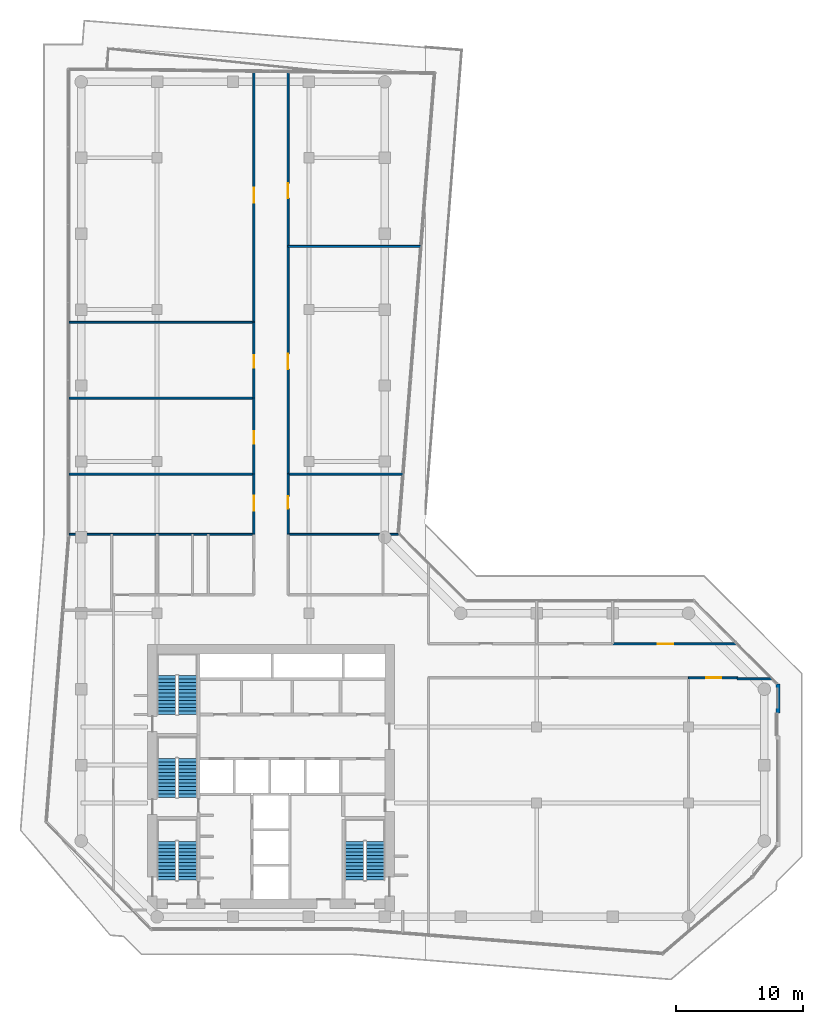
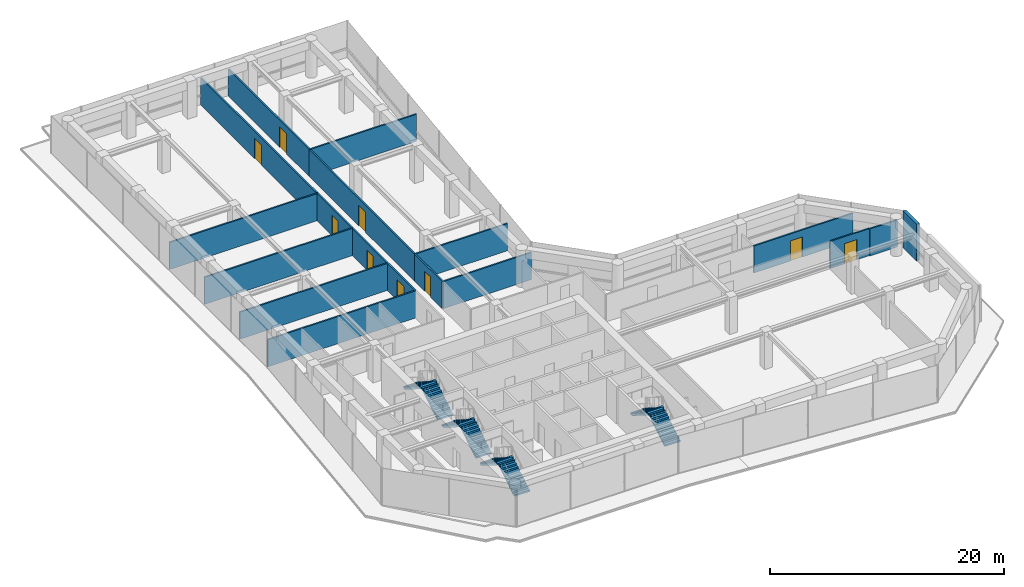
# One storey, part 22 of 24: 18 walls, 9 doors, 8 stair flights, 9 openings, 4 elements without a shape of their own.
"""IFC4 building model written with IfcOpenShell, lengths in metres."""

from ifc_helpers import new_model, si_unit, direction, frame, frame_2d, origin, place, context, subcontext, project, spatial, polyline, rectangle, outline, extrude, material, layer, layer_set, type_object, element, fill, aggregate, save


model = new_model("IFC4")

# Units and contexts
model_context = context("Model", 3, precision=1e-05, world=origin(), true_north=direction((0.0, 1.0)))
body_context = subcontext(model_context, "Body", "Model", "MODEL_VIEW")
ifc_project = project(units=[si_unit("LENGTHUNIT", "METRE"), si_unit("AREAUNIT", "SQUARE_METRE"), si_unit("VOLUMEUNIT", "CUBIC_METRE"), si_unit("PLANEANGLEUNIT", "RADIAN"), si_unit("MASSUNIT", "GRAM", prefix="KILO")], contexts=[model_context])

# Site, building, storey
site_placement = place(None, origin())
site = spatial("IfcSite", under=ifc_project, at=site_placement, CompositionType="ELEMENT")
building_placement = place(site_placement, origin())
building = spatial("IfcBuilding", under=site, at=building_placement, Name="Welwitschia Terrace Campus", CompositionType="ELEMENT")
storey_placement = place(building_placement, frame((0.0, 0.0, 129.800048828125)))
storey = spatial("IfcBuildingStorey", under=building, at=storey_placement, Name="L29", CompositionType="ELEMENT", Elevation=129.800048828125)

# Walls
ifc_material_1 = material(Name="Gypsum board on steel studs", Category="steel")
ifc_layer_1 = layer(ifc_material_1, 0.14990234375)
ifc_layer_set_1 = layer_set([ifc_layer_1], Name="Gypsum board on steel studs")
wall_type_1 = type_object("IfcWallType", Name="Corridor partition 150 EI 30", PredefinedType="PARTITIONING", material=ifc_layer_set_1)
wall_1_placement = place(storey_placement, frame((-0.965087890625, 34.25, 0.0), z_axis=(0.0, 0.0, 1.0), x_axis=(1.0, 0.0, 0.0)))
element("IfcWall", 1, at=wall_1_placement, inside=storey, type_object=wall_type_1, Name="Partition", PredefinedType="PARTITIONING", context=body_context, shape_type="SweptSolid", body=[
    extrude(rectangle(XDim=14.614990234375, YDim=0.14990234375, at=frame_2d((7.3076171875, 0.0))), origin(), (0.0, 0.0, 1.0), 2.829833984375),
])
for number, where, z_axis, x_axis, name in (
    (2, (-0.97998046875, 39.0, 0.0), (0.0, 0.0, 1.0), (1.0, 0.0, 0.0), "Partition"),
    (3, (-0.97998046875, 45.0, 0.0), (0.0, 0.0, 1.0), (1.0, 0.0, 0.0), "Partition"),
    (4, (-0.97998046875, 51.0, 0.0), (0.0, 0.0, 1.0), (1.0, 0.0, 0.0), "Partition"),
):
    element("IfcWall", number, at=place(storey_placement, frame(where, z_axis=z_axis, x_axis=x_axis)), inside=storey, type_object=wall_type_1, Name=name, PredefinedType="PARTITIONING", context=body_context, shape_type="SweptSolid", body=[
        extrude(rectangle(XDim=14.6298828125, YDim=0.14990234375, at=frame_2d((7.31494140625, 0.0))), origin(), (0.0, 0.0, 1.0), 2.829833984375),
    ])

# Wall, opening, door
wall_2_placement = place(storey_placement, frame((13.64990234375, 34.25, 0.0), z_axis=(0.0, 0.0, 1.0), x_axis=(0.0, 1.0, 0.0)))
wall_2 = element("IfcWall", 5, at=wall_2_placement, inside=storey, type_object=wall_type_1, Name="Partition", PredefinedType="PARTITIONING", context=body_context, shape_type="SweptSolid", body=[
    extrude(rectangle(XDim=4.75, YDim=0.14990234375, at=frame_2d((2.375, 0.0))), origin(), (0.0, 0.0, 1.0), 2.829833984375),
])
opening_1_placement = place(wall_2_placement, frame((1.85009765625, 0.0, 0.0)))
opening_1 = element("IfcOpeningElement", 6, at=opening_1_placement, cuts=wall_2, Name="Opening DI12", PredefinedType="OPENING", context=body_context, shape_type="SweptSolid", body=[
    extrude(rectangle(XDim=1.199951171875, YDim=2.10009765625, at=frame_2d((0.60009765625, 1.050048828125))), frame((0.0, 0.0849609375, 0.0), z_axis=(0.0, -1.0, 0.0), x_axis=(1.0, 0.0, 0.0)), (0.0, 0.0, 1.0), 0.169921875),
])
ifc_material_2 = material(Name="Timber veneered door", Category="wood")
door_type_1 = type_object("IfcDoorType", Name="Interior door DI12", OperationType="NOTDEFINED", PredefinedType="DOOR", material=ifc_material_2)
door_1_placement = place(opening_1_placement, origin())
door_1 = element("IfcDoor", 7, at=door_1_placement, inside=storey, type_object=door_type_1, Name="Door L29 621", OperationType="SINGLE_SWING_RIGHT", OverallHeight=2.10009765625, OverallWidth=1.199951171875, PredefinedType="DOOR", context=body_context, shape_type="SweptSolid", body=[
    extrude(rectangle(XDim=1.199951171875, YDim=2.10009765625, at=frame_2d((0.60009765625, 1.050048828125))), frame((0.0, 0.02490234375, 0.0), z_axis=(0.0, -1.0, 0.0), x_axis=(1.0, 0.0, 0.0)), (0.0, 0.0, 1.0), 0.050048828125),
])
fill(opening_1, door_1)

wall_3_placement = place(storey_placement, frame((13.64990234375, 39.0, 0.0), z_axis=(0.0, 0.0, 1.0), x_axis=(0.0, 1.0, 0.0)))
wall_3 = element("IfcWall", 8, at=wall_3_placement, inside=storey, type_object=wall_type_1, Name="Partition", PredefinedType="PARTITIONING", context=body_context, shape_type="SweptSolid", body=[
    extrude(rectangle(XDim=6.0, YDim=0.14990234375, at=frame_2d((3.0, 0.0))), origin(), (0.0, 0.0, 1.0), 2.829833984375),
])
opening_2_placement = place(wall_3_placement, frame((2.39990234375, 0.0, 0.0)))
opening_2 = element("IfcOpeningElement", 9, at=opening_2_placement, cuts=wall_3, Name="Opening DI10", PredefinedType="OPENING", context=body_context, shape_type="SweptSolid", body=[
    extrude(rectangle(XDim=1.0, YDim=2.10009765625, at=frame_2d((0.5, 1.050048828125))), frame((0.0, 0.0849609375, 0.0), z_axis=(0.0, -1.0, 0.0), x_axis=(1.0, 0.0, 0.0)), (0.0, 0.0, 1.0), 0.169921875),
])
ifc_material_3 = material(Name="Timber veneered door", Category="wood")
door_type_2 = type_object("IfcDoorType", Name="Interior door DI10", OperationType="NOTDEFINED", PredefinedType="DOOR", material=ifc_material_3)
door_2_placement = place(opening_2_placement, origin())
door_2 = element("IfcDoor", 10, at=door_2_placement, inside=storey, type_object=door_type_2, Name="Door L29 622", OperationType="SINGLE_SWING_LEFT", OverallHeight=2.10009765625, OverallWidth=1.0, PredefinedType="DOOR", context=body_context, shape_type="SweptSolid", body=[
    extrude(rectangle(XDim=1.0, YDim=2.10009765625, at=frame_2d((0.5, 1.050048828125))), frame((0.0, 0.02490234375, 0.0), z_axis=(0.0, -1.0, 0.0), x_axis=(1.0, 0.0, 0.0)), (0.0, 0.0, 1.0), 0.050048828125),
])
fill(opening_2, door_2)

wall_4_placement = place(storey_placement, frame((13.64990234375, 45.0, 0.0), z_axis=(0.0, 0.0, 1.0), x_axis=(0.0, 1.0, 0.0)))
wall_4 = element("IfcWall", 11, at=wall_4_placement, inside=storey, type_object=wall_type_1, Name="Partition", PredefinedType="PARTITIONING", context=body_context, shape_type="SweptSolid", body=[
    extrude(rectangle(XDim=6.0, YDim=0.14990234375, at=frame_2d((3.0, 0.0))), origin(), (0.0, 0.0, 1.0), 2.829833984375),
])
opening_3_placement = place(wall_4_placement, frame((2.39990234375, 0.0, 0.0)))
opening_3 = element("IfcOpeningElement", 12, at=opening_3_placement, cuts=wall_4, Name="Opening DI10", PredefinedType="OPENING", context=body_context, shape_type="SweptSolid", body=[
    extrude(rectangle(XDim=1.0, YDim=2.10009765625, at=frame_2d((0.5, 1.050048828125))), frame((0.0, 0.0849609375, 0.0), z_axis=(0.0, -1.0, 0.0), x_axis=(1.0, 0.0, 0.0)), (0.0, 0.0, 1.0), 0.169921875),
])
door_3_placement = place(opening_3_placement, origin())
door_3 = element("IfcDoor", 13, at=door_3_placement, inside=storey, type_object=door_type_2, Name="Door L29 623", OperationType="SINGLE_SWING_RIGHT", OverallHeight=2.10009765625, OverallWidth=1.0, PredefinedType="DOOR", context=body_context, shape_type="SweptSolid", body=[
    extrude(rectangle(XDim=1.0, YDim=2.10009765625, at=frame_2d((0.5, 1.050048828125))), frame((0.0, 0.02490234375, 0.0), z_axis=(0.0, -1.0, 0.0), x_axis=(1.0, 0.0, 0.0)), (0.0, 0.0, 1.0), 0.050048828125),
])
fill(opening_3, door_3)

wall_5_placement = place(storey_placement, frame((13.64990234375, 51.0, 0.0), z_axis=(0.0, 0.0, 1.0), x_axis=(0.0, 1.0, 0.0)))
wall_5 = element("IfcWall", 14, at=wall_5_placement, inside=storey, type_object=wall_type_1, Name="Partition", PredefinedType="PARTITIONING", context=body_context, shape_type="SweptSolid", body=[
    extrude(rectangle(XDim=19.840087890625, YDim=0.14990234375, at=frame_2d((9.919921875, 0.0))), origin(), (0.0, 0.0, 1.0), 2.829833984375),
])
opening_4_placement = place(wall_5_placement, frame((9.43994140625, 0.0, 0.0)))
opening_4 = element("IfcOpeningElement", 15, at=opening_4_placement, cuts=wall_5, Name="Opening DI12", PredefinedType="OPENING", context=body_context, shape_type="SweptSolid", body=[
    extrude(rectangle(XDim=1.199951171875, YDim=2.10009765625, at=frame_2d((0.60009765625, 1.050048828125))), frame((0.0, 0.0849609375, 0.0), z_axis=(0.0, -1.0, 0.0), x_axis=(1.0, 0.0, 0.0)), (0.0, 0.0, 1.0), 0.169921875),
])
door_4_placement = place(opening_4_placement, origin())
door_4 = element("IfcDoor", 16, at=door_4_placement, inside=storey, type_object=door_type_1, Name="Door L29 624", OperationType="SINGLE_SWING_LEFT", OverallHeight=2.10009765625, OverallWidth=1.199951171875, PredefinedType="DOOR", context=body_context, shape_type="SweptSolid", body=[
    extrude(rectangle(XDim=1.199951171875, YDim=2.10009765625, at=frame_2d((0.60009765625, 1.050048828125))), frame((0.0, 0.02490234375, 0.0), z_axis=(0.0, -1.0, 0.0), x_axis=(1.0, 0.0, 0.0)), (0.0, 0.0, 1.0), 0.050048828125),
])
fill(opening_4, door_4)

# Wall
wall_6_placement = place(storey_placement, frame((16.35009765625, 34.25, 0.0), z_axis=(0.0, 0.0, 1.0), x_axis=(1.0, 0.0, 0.0)))
element("IfcWall", 17, at=wall_6_placement, inside=storey, type_object=wall_type_1, Name="Partition", PredefinedType="PARTITIONING", context=body_context, shape_type="SweptSolid", body=[
    extrude(rectangle(XDim=8.71484375, YDim=0.14990234375, at=frame_2d((4.357421875, 0.0))), origin(), (0.0, 0.0, 1.0), 2.829833984375),
])

# Wall, opening, door
wall_7_placement = place(storey_placement, frame((16.35009765625, 39.0, 0.0), z_axis=(0.0, 0.0, 1.0), x_axis=(0.0, -1.0, 0.0)))
wall_7 = element("IfcWall", 18, at=wall_7_placement, inside=storey, type_object=wall_type_1, Name="Partition", PredefinedType="PARTITIONING", context=body_context, shape_type="SweptSolid", body=[
    extrude(rectangle(XDim=4.75, YDim=0.14990234375, at=frame_2d((2.375, 0.0))), origin(), (0.0, 0.0, 1.0), 2.829833984375),
])
opening_5_placement = place(wall_7_placement, frame((1.75, 0.0, 0.0)))
opening_5 = element("IfcOpeningElement", 19, at=opening_5_placement, cuts=wall_7, Name="Opening DI10", PredefinedType="OPENING", context=body_context, shape_type="SweptSolid", body=[
    extrude(rectangle(XDim=1.0, YDim=2.10009765625, at=frame_2d((0.5, 1.050048828125))), frame((0.0, 0.0849609375, 0.0), z_axis=(0.0, -1.0, 0.0), x_axis=(1.0, 0.0, 0.0)), (0.0, 0.0, 1.0), 0.169921875),
])
door_5_placement = place(opening_5_placement, origin())
door_5 = element("IfcDoor", 20, at=door_5_placement, inside=storey, type_object=door_type_2, Name="Door L29 625", OperationType="SINGLE_SWING_RIGHT", OverallHeight=2.10009765625, OverallWidth=1.0, PredefinedType="DOOR", context=body_context, shape_type="SweptSolid", body=[
    extrude(rectangle(XDim=1.0, YDim=2.10009765625, at=frame_2d((0.5, 1.050048828125))), frame((0.0, 0.02490234375, 0.0), z_axis=(0.0, -1.0, 0.0), x_axis=(1.0, 0.0, 0.0)), (0.0, 0.0, 1.0), 0.050048828125),
])
fill(opening_5, door_5)

# Wall
wall_8_placement = place(storey_placement, frame((16.35009765625, 39.0, 0.0), z_axis=(0.0, 0.0, 1.0), x_axis=(1.0, 0.0, 0.0)))
element("IfcWall", 21, at=wall_8_placement, inside=storey, type_object=wall_type_1, Name="Partition", PredefinedType="PARTITIONING", context=body_context, shape_type="SweptSolid", body=[
    extrude(rectangle(XDim=9.099853515625, YDim=0.14990234375, at=frame_2d((4.5498046875, 0.0))), origin(), (0.0, 0.0, 1.0), 2.829833984375),
])

# Wall, opening, door
wall_9_placement = place(storey_placement, frame((16.35009765625, 57.0, 0.0), z_axis=(0.0, 0.0, 1.0), x_axis=(0.0, -1.0, 0.0)))
wall_9 = element("IfcWall", 22, at=wall_9_placement, inside=storey, type_object=wall_type_1, Name="Partition", PredefinedType="PARTITIONING", context=body_context, shape_type="SweptSolid", body=[
    extrude(rectangle(XDim=18.0, YDim=0.14990234375, at=frame_2d((9.0, 0.0))), origin(), (0.0, 0.0, 1.0), 2.829833984375),
])
opening_6_placement = place(wall_9_placement, frame((8.5, 0.0, 0.0)))
opening_6 = element("IfcOpeningElement", 23, at=opening_6_placement, cuts=wall_9, Name="Opening DI12", PredefinedType="OPENING", context=body_context, shape_type="SweptSolid", body=[
    extrude(rectangle(XDim=1.199951171875, YDim=2.10009765625, at=frame_2d((0.60009765625, 1.050048828125))), frame((0.0, 0.0849609375, 0.0), z_axis=(0.0, -1.0, 0.0), x_axis=(1.0, 0.0, 0.0)), (0.0, 0.0, 1.0), 0.169921875),
])
door_6_placement = place(opening_6_placement, origin())
door_6 = element("IfcDoor", 24, at=door_6_placement, inside=storey, type_object=door_type_1, Name="Door L29 626", OperationType="SINGLE_SWING_LEFT", OverallHeight=2.10009765625, OverallWidth=1.199951171875, PredefinedType="DOOR", context=body_context, shape_type="SweptSolid", body=[
    extrude(rectangle(XDim=1.199951171875, YDim=2.10009765625, at=frame_2d((0.60009765625, 1.050048828125))), frame((0.0, 0.02490234375, 0.0), z_axis=(0.0, -1.0, 0.0), x_axis=(1.0, 0.0, 0.0)), (0.0, 0.0, 1.0), 0.050048828125),
])
fill(opening_6, door_6)

# Wall
wall_10_placement = place(storey_placement, frame((16.35009765625, 57.0, 0.0), z_axis=(0.0, 0.0, 1.0), x_axis=(1.0, 0.0, 0.0)))
element("IfcWall", 25, at=wall_10_placement, inside=storey, type_object=wall_type_1, Name="Partition", PredefinedType="PARTITIONING", context=body_context, shape_type="SweptSolid", body=[
    extrude(rectangle(XDim=10.510009765625, YDim=0.14990234375, at=frame_2d((5.2548828125, 0.0))), origin(), (0.0, 0.0, 1.0), 2.829833984375),
])

# Wall, opening, door
wall_11_placement = place(storey_placement, frame((16.35009765625, 70.81005859375, 0.0), z_axis=(0.0, 0.0, 1.0), x_axis=(0.0, -1.0, 0.0)))
wall_11 = element("IfcWall", 26, at=wall_11_placement, inside=storey, type_object=wall_type_1, Name="Partition", PredefinedType="PARTITIONING", context=body_context, shape_type="SweptSolid", body=[
    extrude(rectangle(XDim=13.81005859375, YDim=0.14990234375, at=frame_2d((6.905029296875, 0.0))), origin(), (0.0, 0.0, 1.0), 2.829833984375),
])
opening_7_placement = place(wall_11_placement, frame((8.81005859375, 0.0, 0.0)))
opening_7 = element("IfcOpeningElement", 27, at=opening_7_placement, cuts=wall_11, Name="Opening DX12", PredefinedType="OPENING", context=body_context, shape_type="SweptSolid", body=[
    extrude(rectangle(XDim=1.199951171875, YDim=2.10009765625, at=frame_2d((0.60009765625, 1.050048828125))), frame((0.0, 0.0849609375, 0.0), z_axis=(0.0, -1.0, 0.0), x_axis=(1.0, 0.0, 0.0)), (0.0, 0.0, 1.0), 0.169921875),
])
ifc_material_4 = material(Name="Timber veneered door", Category="wood")
door_type_3 = type_object("IfcDoorType", Name="Interior door DX12", OperationType="NOTDEFINED", PredefinedType="DOOR", material=ifc_material_4)
door_7_placement = place(opening_7_placement, origin())
door_7 = element("IfcDoor", 28, at=door_7_placement, inside=storey, type_object=door_type_3, Name="Door L29 627", OperationType="SINGLE_SWING_RIGHT", OverallHeight=2.10009765625, OverallWidth=1.199951171875, PredefinedType="DOOR", context=body_context, shape_type="SweptSolid", body=[
    extrude(rectangle(XDim=1.199951171875, YDim=2.10009765625, at=frame_2d((0.60009765625, 1.050048828125))), frame((0.0, 0.02490234375, 0.0), z_axis=(0.0, -1.0, 0.0), x_axis=(1.0, 0.0, 0.0)), (0.0, 0.0, 1.0), 0.050048828125),
])
fill(opening_7, door_7)

wall_12_placement = place(storey_placement, frame((42.0, 25.577392578125, 0.0), z_axis=(0.0, 0.0, 1.0), x_axis=(1.0, 0.0, 0.0)))
wall_12 = element("IfcWall", 29, at=wall_12_placement, inside=storey, type_object=wall_type_1, Name="Partition", PredefinedType="PARTITIONING", context=body_context, shape_type="SweptSolid", body=[
    extrude(rectangle(XDim=9.780029296875, YDim=0.14990234375, at=frame_2d((4.89013671875, 0.0))), origin(), (0.0, 0.0, 1.0), 2.829833984375),
])
opening_8_placement = place(wall_12_placement, frame((3.580078125, 0.0, 0.0)))
opening_8 = element("IfcOpeningElement", 30, at=opening_8_placement, cuts=wall_12, Name="Opening DI12", PredefinedType="OPENING", context=body_context, shape_type="SweptSolid", body=[
    extrude(rectangle(XDim=1.199951171875, YDim=2.10009765625, at=frame_2d((0.60009765625, 1.050048828125))), frame((0.0, 0.0849609375, 0.0), z_axis=(0.0, -1.0, 0.0), x_axis=(1.0, 0.0, 0.0)), (0.0, 0.0, 1.0), 0.169921875),
])
door_8_placement = place(opening_8_placement, origin())
door_8 = element("IfcDoor", 31, at=door_8_placement, inside=storey, type_object=door_type_1, Name="Door L29 631", OperationType="SINGLE_SWING_RIGHT", OverallHeight=2.10009765625, OverallWidth=1.199951171875, PredefinedType="DOOR", context=body_context, shape_type="SweptSolid", body=[
    extrude(rectangle(XDim=1.199951171875, YDim=2.10009765625, at=frame_2d((0.60009765625, 1.050048828125))), frame((0.0, 0.02490234375, 0.0), z_axis=(0.0, -1.0, 0.0), x_axis=(1.0, 0.0, 0.0)), (0.0, 0.0, 1.0), 0.050048828125),
])
fill(opening_8, door_8)

# Wall
wall_13_placement = place(storey_placement, frame((51.85009765625, 22.820068359375, 0.0), z_axis=(0.0, 0.0, 1.0), x_axis=(1.0, 0.0, 0.0)))
element("IfcWall", 32, at=wall_13_placement, inside=storey, type_object=wall_type_1, Name="Partition", PredefinedType="PARTITIONING", context=body_context, shape_type="SweptSolid", body=[
    extrude(rectangle(XDim=2.70166015625, YDim=0.14990234375, at=frame_2d((1.350830078125, 0.0))), origin(), (0.0, 0.0, 1.0), 2.829833984375),
])

# Wall, opening, door
wall_14_placement = place(storey_placement, frame((51.8798828125, 22.89990234375, 0.0), z_axis=(0.0, 0.0, 1.0), x_axis=(-1.0, 0.0, 0.0)))
wall_14 = element("IfcWall", 33, at=wall_14_placement, inside=storey, type_object=wall_type_1, Name="Partition", PredefinedType="PARTITIONING", context=body_context, shape_type="SweptSolid", body=[
    extrude(rectangle(XDim=3.8798828125, YDim=0.14990234375, at=frame_2d((1.93994140625, 0.0))), origin(), (0.0, 0.0, 1.0), 2.829833984375),
])
opening_9_placement = place(wall_14_placement, frame((1.280029296875, 0.0, 0.0)))
opening_9 = element("IfcOpeningElement", 34, at=opening_9_placement, cuts=wall_14, Name="Opening DI12", PredefinedType="OPENING", context=body_context, shape_type="SweptSolid", body=[
    extrude(rectangle(XDim=1.199951171875, YDim=2.10009765625, at=frame_2d((0.60009765625, 1.050048828125))), frame((0.0, 0.0849609375, 0.0), z_axis=(0.0, -1.0, 0.0), x_axis=(1.0, 0.0, 0.0)), (0.0, 0.0, 1.0), 0.169921875),
])
door_9_placement = place(opening_9_placement, origin())
door_9 = element("IfcDoor", 35, at=door_9_placement, inside=storey, type_object=door_type_1, Name="Door L29 633", OperationType="SINGLE_SWING_RIGHT", OverallHeight=2.10009765625, OverallWidth=1.199951171875, PredefinedType="DOOR", context=body_context, shape_type="SweptSolid", body=[
    extrude(rectangle(XDim=1.199951171875, YDim=2.10009765625, at=frame_2d((0.60009765625, 1.050048828125))), frame((0.0, 0.02490234375, 0.0), z_axis=(0.0, -1.0, 0.0), x_axis=(1.0, 0.0, 0.0)), (0.0, 0.0, 1.0), 0.050048828125),
])
fill(opening_9, door_9)

# Wall
ifc_material_5 = material(Name="Concrete C40/50", Category="concrete")
ifc_layer_2 = layer(ifc_material_5, 0.300048828125)
ifc_layer_set_2 = layer_set([ifc_layer_2], Name="Concrete C40/50")
wall_type_2 = type_object("IfcWallType", Name="Mass wall 300", PredefinedType="SOLIDWALL", material=ifc_layer_set_2)
wall_15_placement = place(storey_placement, frame((55.07958984375, 20.11328125, 0.0), z_axis=(0.0, 0.0, 1.0), x_axis=(0.0, 1.0, 0.0)))
element("IfcWall", 36, at=wall_15_placement, inside=storey, type_object=wall_type_2, Name="Mass wall L29.6.1", PredefinedType="SOLIDWALL", context=body_context, shape_type="SweptSolid", body=[
    extrude(rectangle(XDim=2.313232421875, YDim=0.300048828125, at=frame_2d((1.15673828125, 0.0))), origin(), (0.0, 0.0, 1.0), 3.849853515625),
])

# Stair, stair flights
ifc_material_6 = material(Name="Concrete C40/50", Category="concrete")
stair_type = type_object("IfcStairType", Name="Stair 24R 175 W1500", PredefinedType="HALF_TURN_STAIR", material=ifc_material_6)
stair_1_placement = place(storey_placement, origin())
stair_1 = element("IfcStair", 37, at=stair_1_placement, inside=storey, type_object=stair_type, Name="L29 Exit stair S1", PredefinedType="HALF_TURN_STAIR")
ifc_material_7 = material(Name="Concrete C40/50", Category="concrete")
stair_flight_type = type_object("IfcStairFlightType", Name="Stair flight 24R 175 W1500", PredefinedType="STRAIGHT", material=ifc_material_7)
stair_flight_1_placement = place(storey_placement, frame((8.39990234375, 6.89990234375, 0.0), z_axis=(0.0, 0.0, 1.0), x_axis=(0.0, 1.0, 0.0)))
stair_flight_1 = element("IfcStairFlight", 38, at=stair_flight_1_placement, type_object=stair_flight_type, Name="S1 flight 1", NumberOfRisers=12, NumberOfTreads=11, PredefinedType="STRAIGHT", RiserHeight=0.175, TreadLength=0.28, context=body_context, shape_type="SweptSolid", body=[
    extrude(outline(polyline([(0.0, 0.0), (0.0, 0.175048828125), (0.280029296875, 0.175048828125), (0.280029296875, 0.35009765625), (0.56005859375, 0.35009765625), (0.56005859375, 0.52490234375), (0.840087890625, 0.52490234375), (0.840087890625, 0.699951171875), (1.1201171875, 0.699951171875), (1.1201171875, 0.875), (1.39990234375, 0.875), (1.39990234375, 1.050048828125), (1.679931640625, 1.050048828125), (1.679931640625, 1.22509765625), (1.9599609375, 1.22509765625), (1.9599609375, 1.39990234375), (2.239990234375, 1.39990234375), (2.239990234375, 1.574951171875), (2.52001953125, 1.574951171875), (2.52001953125, 1.75), (2.800048828125, 1.75), (2.800048828125, 1.925048828125), (3.080078125, 1.925048828125), (3.080078125, 2.10009765625), (3.080078125, 1.748291015625), (0.28271484375, 0.0), (0.0, 0.0)])), frame((0.0, 0.75, 0.0), z_axis=(0.0, -1.0, 0.0), x_axis=(1.0, 0.0, 0.0)), (0.0, 0.0, 1.0), 1.5),
])
stair_flight_2_placement = place(storey_placement, frame((6.75, 9.97998046875, 2.099853515625), z_axis=(0.0, 0.0, 1.0), x_axis=(0.0, -1.0, 0.0)))
stair_flight_2 = element("IfcStairFlight", 39, at=stair_flight_2_placement, type_object=stair_flight_type, Name="S1 flight 2", NumberOfRisers=12, NumberOfTreads=11, PredefinedType="STRAIGHT", RiserHeight=0.175, TreadLength=0.28, context=body_context, shape_type="SweptSolid", body=[
    extrude(outline(polyline([(0.0, 0.0), (0.0, 0.175048828125), (0.280029296875, 0.175048828125), (0.280029296875, 0.35009765625), (0.56005859375, 0.35009765625), (0.56005859375, 0.52490234375), (0.840087890625, 0.52490234375), (0.840087890625, 0.699951171875), (1.1201171875, 0.699951171875), (1.1201171875, 0.875), (1.39990234375, 0.875), (1.39990234375, 1.050048828125), (1.679931640625, 1.050048828125), (1.679931640625, 1.22509765625), (1.9599609375, 1.22509765625), (1.9599609375, 1.39990234375), (2.239990234375, 1.39990234375), (2.239990234375, 1.574951171875), (2.52001953125, 1.574951171875), (2.52001953125, 1.75), (2.800048828125, 1.75), (2.800048828125, 1.925048828125), (3.080078125, 1.925048828125), (3.080078125, 2.10009765625), (3.080078125, 1.748291015625), (0.28271484375, 0.0), (0.0, 0.0)])), frame((0.0, 0.75, 0.0), z_axis=(0.0, -1.0, 0.0), x_axis=(1.0, 0.0, 0.0)), (0.0, 0.0, 1.0), 1.5),
])
aggregate(stair_1, [stair_flight_1, stair_flight_2])

stair_2_placement = place(storey_placement, origin())
stair_2 = element("IfcStair", 40, at=stair_2_placement, inside=storey, type_object=stair_type, Name="L29 Exit stair S3", PredefinedType="HALF_TURN_STAIR")
stair_flight_3_placement = place(storey_placement, frame((8.39990234375, 13.449951171875, 0.0), z_axis=(0.0, 0.0, 1.0), x_axis=(0.0, 1.0, 0.0)))
stair_flight_3 = element("IfcStairFlight", 41, at=stair_flight_3_placement, type_object=stair_flight_type, Name="S3 flight 1", NumberOfRisers=12, NumberOfTreads=11, PredefinedType="STRAIGHT", RiserHeight=0.175, TreadLength=0.28, context=body_context, shape_type="SweptSolid", body=[
    extrude(outline(polyline([(0.0, 0.0), (0.0, 0.175048828125), (0.280029296875, 0.175048828125), (0.280029296875, 0.35009765625), (0.56005859375, 0.35009765625), (0.56005859375, 0.52490234375), (0.840087890625, 0.52490234375), (0.840087890625, 0.699951171875), (1.1201171875, 0.699951171875), (1.1201171875, 0.875), (1.39990234375, 0.875), (1.39990234375, 1.050048828125), (1.679931640625, 1.050048828125), (1.679931640625, 1.22509765625), (1.9599609375, 1.22509765625), (1.9599609375, 1.39990234375), (2.239990234375, 1.39990234375), (2.239990234375, 1.574951171875), (2.52001953125, 1.574951171875), (2.52001953125, 1.75), (2.800048828125, 1.75), (2.800048828125, 1.925048828125), (3.080078125, 1.925048828125), (3.080078125, 2.10009765625), (3.080078125, 1.748291015625), (0.28271484375, 0.0), (0.0, 0.0)])), frame((0.0, 0.75, 0.0), z_axis=(0.0, -1.0, 0.0), x_axis=(1.0, 0.0, 0.0)), (0.0, 0.0, 1.0), 1.5),
])
stair_flight_4_placement = place(storey_placement, frame((6.75, 16.530029296875, 2.099853515625), z_axis=(0.0, 0.0, 1.0), x_axis=(0.0, -1.0, 0.0)))
stair_flight_4 = element("IfcStairFlight", 42, at=stair_flight_4_placement, type_object=stair_flight_type, Name="S3 flight 2", NumberOfRisers=12, NumberOfTreads=11, PredefinedType="STRAIGHT", RiserHeight=0.175, TreadLength=0.28, context=body_context, shape_type="SweptSolid", body=[
    extrude(outline(polyline([(0.0, 0.0), (0.0, 0.175048828125), (0.280029296875, 0.175048828125), (0.280029296875, 0.35009765625), (0.56005859375, 0.35009765625), (0.56005859375, 0.52490234375), (0.840087890625, 0.52490234375), (0.840087890625, 0.699951171875), (1.1201171875, 0.699951171875), (1.1201171875, 0.875), (1.39990234375, 0.875), (1.39990234375, 1.050048828125), (1.679931640625, 1.050048828125), (1.679931640625, 1.22509765625), (1.9599609375, 1.22509765625), (1.9599609375, 1.39990234375), (2.239990234375, 1.39990234375), (2.239990234375, 1.574951171875), (2.52001953125, 1.574951171875), (2.52001953125, 1.75), (2.800048828125, 1.75), (2.800048828125, 1.925048828125), (3.080078125, 1.925048828125), (3.080078125, 2.10009765625), (3.080078125, 1.748291015625), (0.28271484375, 0.0), (0.0, 0.0)])), frame((0.0, 0.75, 0.0), z_axis=(0.0, -1.0, 0.0), x_axis=(1.0, 0.0, 0.0)), (0.0, 0.0, 1.0), 1.5),
])
aggregate(stair_2, [stair_flight_3, stair_flight_4])

stair_3_placement = place(storey_placement, origin())
stair_3 = element("IfcStair", 43, at=stair_3_placement, inside=storey, type_object=stair_type, Name="L29 Exit stair S4", PredefinedType="HALF_TURN_STAIR")
stair_flight_5_placement = place(storey_placement, frame((8.39990234375, 20.0, 0.0), z_axis=(0.0, 0.0, 1.0), x_axis=(0.0, 1.0, 0.0)))
stair_flight_5 = element("IfcStairFlight", 44, at=stair_flight_5_placement, type_object=stair_flight_type, Name="S4 flight 1", NumberOfRisers=12, NumberOfTreads=11, PredefinedType="STRAIGHT", RiserHeight=0.175, TreadLength=0.28, context=body_context, shape_type="SweptSolid", body=[
    extrude(outline(polyline([(0.0, 0.0), (0.0, 0.175048828125), (0.280029296875, 0.175048828125), (0.280029296875, 0.35009765625), (0.56005859375, 0.35009765625), (0.56005859375, 0.52490234375), (0.840087890625, 0.52490234375), (0.840087890625, 0.699951171875), (1.1201171875, 0.699951171875), (1.1201171875, 0.875), (1.39990234375, 0.875), (1.39990234375, 1.050048828125), (1.679931640625, 1.050048828125), (1.679931640625, 1.22509765625), (1.9599609375, 1.22509765625), (1.9599609375, 1.39990234375), (2.239990234375, 1.39990234375), (2.239990234375, 1.574951171875), (2.52001953125, 1.574951171875), (2.52001953125, 1.75), (2.800048828125, 1.75), (2.800048828125, 1.925048828125), (3.080078125, 1.925048828125), (3.080078125, 2.10009765625), (3.080078125, 1.748291015625), (0.28271484375, 0.0), (0.0, 0.0)])), frame((0.0, 0.75, 0.0), z_axis=(0.0, -1.0, 0.0), x_axis=(1.0, 0.0, 0.0)), (0.0, 0.0, 1.0), 1.5),
])
stair_flight_6_placement = place(storey_placement, frame((6.75, 23.080078125, 2.099853515625), z_axis=(0.0, 0.0, 1.0), x_axis=(0.0, -1.0, 0.0)))
stair_flight_6 = element("IfcStairFlight", 45, at=stair_flight_6_placement, type_object=stair_flight_type, Name="S4 flight 2", NumberOfRisers=12, NumberOfTreads=11, PredefinedType="STRAIGHT", RiserHeight=0.175, TreadLength=0.28, context=body_context, shape_type="SweptSolid", body=[
    extrude(outline(polyline([(0.0, 0.0), (0.0, 0.175048828125), (0.280029296875, 0.175048828125), (0.280029296875, 0.35009765625), (0.56005859375, 0.35009765625), (0.56005859375, 0.52490234375), (0.840087890625, 0.52490234375), (0.840087890625, 0.699951171875), (1.1201171875, 0.699951171875), (1.1201171875, 0.875), (1.39990234375, 0.875), (1.39990234375, 1.050048828125), (1.679931640625, 1.050048828125), (1.679931640625, 1.22509765625), (1.9599609375, 1.22509765625), (1.9599609375, 1.39990234375), (2.239990234375, 1.39990234375), (2.239990234375, 1.574951171875), (2.52001953125, 1.574951171875), (2.52001953125, 1.75), (2.800048828125, 1.75), (2.800048828125, 1.925048828125), (3.080078125, 1.925048828125), (3.080078125, 2.10009765625), (3.080078125, 1.748291015625), (0.28271484375, 0.0), (0.0, 0.0)])), frame((0.0, 0.75, 0.0), z_axis=(0.0, -1.0, 0.0), x_axis=(1.0, 0.0, 0.0)), (0.0, 0.0, 1.0), 1.5),
])
aggregate(stair_3, [stair_flight_5, stair_flight_6])

stair_4_placement = place(storey_placement, origin())
stair_4 = element("IfcStair", 46, at=stair_4_placement, inside=storey, type_object=stair_type, Name="L29 Exit stair S2", PredefinedType="HALF_TURN_STAIR")
stair_flight_7_placement = place(storey_placement, frame((23.25, 6.89990234375, 0.0), z_axis=(0.0, 0.0, 1.0), x_axis=(0.0, 1.0, 0.0)))
stair_flight_7 = element("IfcStairFlight", 47, at=stair_flight_7_placement, type_object=stair_flight_type, Name="S2 flight 1", NumberOfRisers=12, NumberOfTreads=11, PredefinedType="STRAIGHT", RiserHeight=0.175, TreadLength=0.28, context=body_context, shape_type="SweptSolid", body=[
    extrude(outline(polyline([(0.0, 0.0), (0.0, 0.175048828125), (0.280029296875, 0.175048828125), (0.280029296875, 0.35009765625), (0.56005859375, 0.35009765625), (0.56005859375, 0.52490234375), (0.840087890625, 0.52490234375), (0.840087890625, 0.699951171875), (1.1201171875, 0.699951171875), (1.1201171875, 0.875), (1.39990234375, 0.875), (1.39990234375, 1.050048828125), (1.679931640625, 1.050048828125), (1.679931640625, 1.22509765625), (1.9599609375, 1.22509765625), (1.9599609375, 1.39990234375), (2.239990234375, 1.39990234375), (2.239990234375, 1.574951171875), (2.52001953125, 1.574951171875), (2.52001953125, 1.75), (2.800048828125, 1.75), (2.800048828125, 1.925048828125), (3.080078125, 1.925048828125), (3.080078125, 2.10009765625), (3.080078125, 1.748291015625), (0.28271484375, 0.0), (0.0, 0.0)])), frame((0.0, 0.75, 0.0), z_axis=(0.0, -1.0, 0.0), x_axis=(1.0, 0.0, 0.0)), (0.0, 0.0, 1.0), 1.5),
])
stair_flight_8_placement = place(storey_placement, frame((21.60009765625, 9.97998046875, 2.099853515625), z_axis=(0.0, 0.0, 1.0), x_axis=(0.0, -1.0, 0.0)))
stair_flight_8 = element("IfcStairFlight", 48, at=stair_flight_8_placement, type_object=stair_flight_type, Name="S2 flight 2", NumberOfRisers=12, NumberOfTreads=11, PredefinedType="STRAIGHT", RiserHeight=0.175, TreadLength=0.28, context=body_context, shape_type="SweptSolid", body=[
    extrude(outline(polyline([(0.0, 0.0), (0.0, 0.175048828125), (0.280029296875, 0.175048828125), (0.280029296875, 0.35009765625), (0.56005859375, 0.35009765625), (0.56005859375, 0.52490234375), (0.840087890625, 0.52490234375), (0.840087890625, 0.699951171875), (1.1201171875, 0.699951171875), (1.1201171875, 0.875), (1.39990234375, 0.875), (1.39990234375, 1.050048828125), (1.679931640625, 1.050048828125), (1.679931640625, 1.22509765625), (1.9599609375, 1.22509765625), (1.9599609375, 1.39990234375), (2.239990234375, 1.39990234375), (2.239990234375, 1.574951171875), (2.52001953125, 1.574951171875), (2.52001953125, 1.75), (2.800048828125, 1.75), (2.800048828125, 1.925048828125), (3.080078125, 1.925048828125), (3.080078125, 2.10009765625), (3.080078125, 1.748291015625), (0.28271484375, 0.0), (0.0, 0.0)])), frame((0.0, 0.75, 0.0), z_axis=(0.0, -1.0, 0.0), x_axis=(1.0, 0.0, 0.0)), (0.0, 0.0, 1.0), 1.5),
])
aggregate(stair_4, [stair_flight_7, stair_flight_8])

save(model, "model.ifc")
